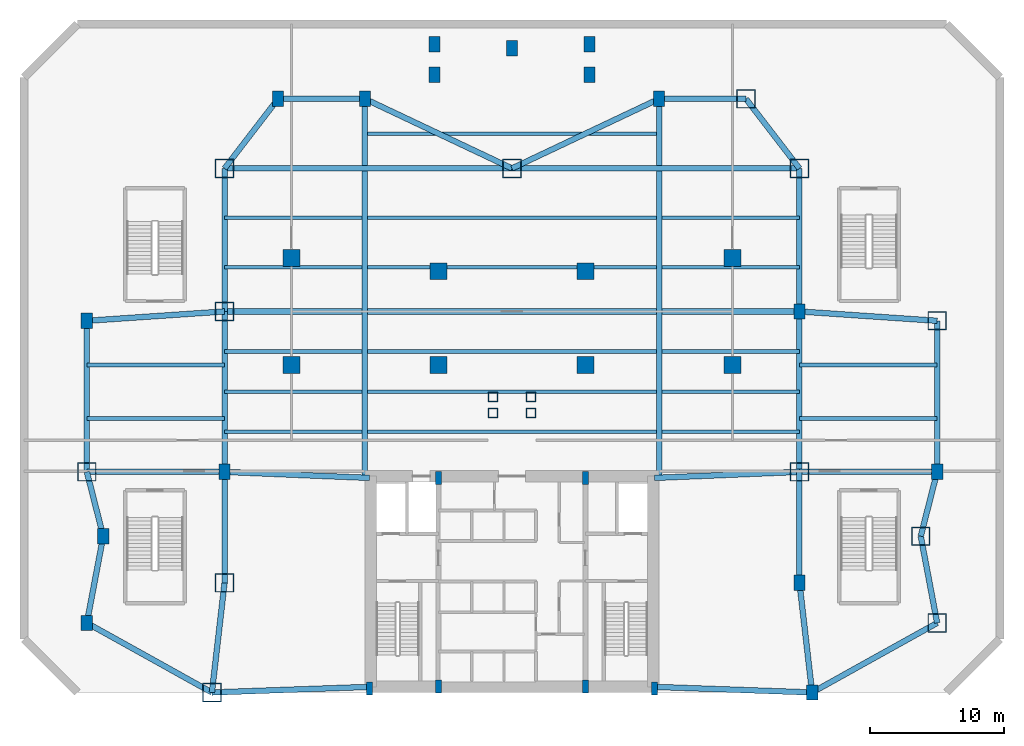
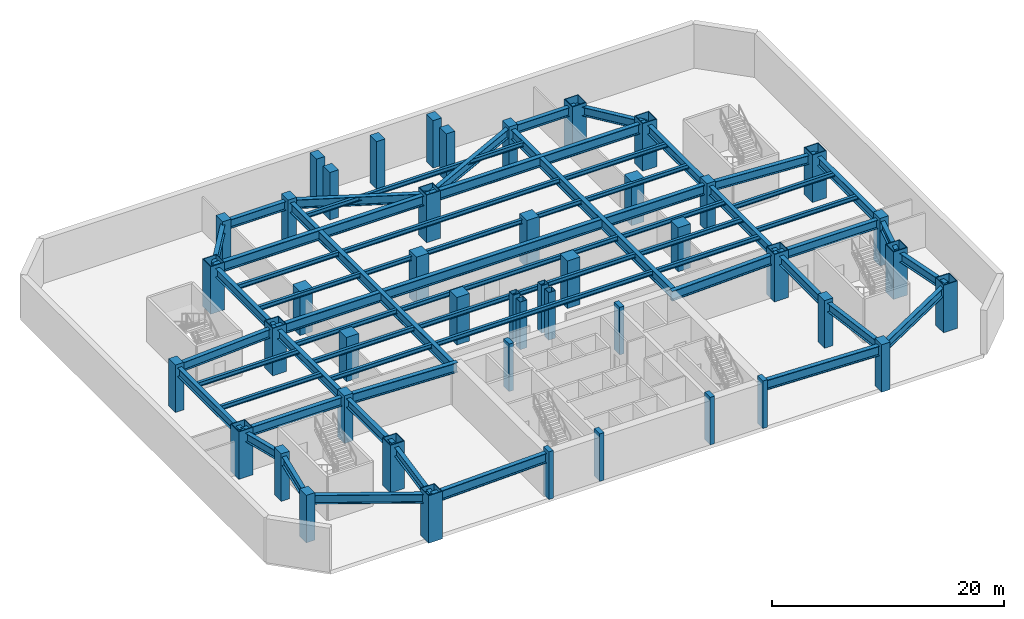
# One storey, part 1 of 6: 55 beams, 46 columns.
"""IFC4 building model written with IfcOpenShell, lengths in metres."""

from ifc_helpers import new_model, si_unit, direction, frame, origin, origin_2d, place, context, subcontext, project, spatial, rectangle, hollow_rectangle, i_section, extrude, source, transform, mapped, material, material_profile, profile_set, type_object, type_shapes, element, save


model = new_model("IFC4")

# Units and contexts
model_context = context("Model", 3, precision=1e-05, world=origin(), true_north=direction((0.0, 1.0)))
body_context = subcontext(model_context, "Body", "Model", "MODEL_VIEW")
ifc_project = project(units=[si_unit("LENGTHUNIT", "METRE"), si_unit("AREAUNIT", "SQUARE_METRE"), si_unit("VOLUMEUNIT", "CUBIC_METRE"), si_unit("PLANEANGLEUNIT", "RADIAN"), si_unit("MASSUNIT", "GRAM", prefix="KILO")], contexts=[model_context])

# Site, building, storey
site_placement = place(None, origin())
site = spatial("IfcSite", under=ifc_project, at=site_placement, CompositionType="ELEMENT")
building_placement = place(site_placement, origin())
building = spatial("IfcBuilding", under=site, at=building_placement, Name="Varnakhor Terracotta Tower", CompositionType="ELEMENT")
storey_placement = place(building_placement, frame((0.0, 0.0, -5.0)))
storey = spatial("IfcBuildingStorey", under=building, at=storey_placement, Name="B01", CompositionType="ELEMENT", Elevation=-5.0)

# Columns
ifc_material_1 = material(Name="Concrete C50/60", Category="concrete")
ifc_material_profile_1 = material_profile(ifc_material_1, rectangle(XDim=0.449951171875, YDim=0.949951171875, at=origin_2d()), Name="RC PILASTER 950x450")
ifc_profile_set_1 = profile_set([ifc_material_profile_1], Name="Concrete C50/60")
column_type_1 = type_object("IfcColumnType", Name="COL-PIL-950x450", PredefinedType="PILASTER", material=ifc_profile_set_1)
shared_shape_1 = source(origin(), body_context, "Body", "SweptSolid", [
    extrude(rectangle(XDim=0.449951171875, YDim=0.949951171875, at=origin_2d()), origin(), (0.0, 0.0, 1.0), 5.0),
])
type_shapes(column_type_1, [shared_shape_1])
for number, where, z_axis, x_axis, name in (
    (1, (-10.64990234375, 0.300048828125, 0.0), (0.0, 0.0, 1.0), (1.0, 0.0, 0.0), "B01 Core Pilaster CP1"),
    (2, (-5.5, 0.449951171875, 0.0), (0.0, 0.0, 1.0), (1.0, 0.0, 0.0), "B01 Core Pilaster CP2"),
    (3, (5.5, 0.449951171875, 0.0), (0.0, 0.0, 1.0), (1.0, 0.0, 0.0), "B01 Core Pilaster CP3"),
    (4, (10.64990234375, 0.300048828125, 0.0), (0.0, 0.0, 1.0), (1.0, 0.0, 0.0), "B01 Core Pilaster CP4"),
    (5, (-5.5, 16.050048828125, 0.0), (0.0, 0.0, 1.0), (1.0, 0.0, 0.0), "B01 Core Pilaster CP5"),
    (6, (5.5, 16.050048828125, 0.0), (0.0, 0.0, 1.0), (1.0, 0.0, 0.0), "B01 Core Pilaster CP6"),
):
    element("IfcColumn", number, at=place(storey_placement, frame(where, z_axis=z_axis, x_axis=x_axis)), inside=storey, type_object=column_type_1, Name=name, PredefinedType="PILASTER", context=body_context, shape_type="MappedRepresentation", body=[
        mapped(shared_shape_1, transform((0.0, 0.0, 0.0), scale=1.0)),
    ])
ifc_material_2 = material(Name="Concrete C60/75", Category="concrete")
ifc_material_profile_2 = material_profile(ifc_material_2, rectangle(XDim=0.85009765625, YDim=1.14990234375, at=origin_2d()), Name="RC 1150x850")
ifc_profile_set_2 = profile_set([ifc_material_profile_2], Name="Concrete C60/75")
column_type_2 = type_object("IfcColumnType", Name="COL-RC-1150x850", PredefinedType="COLUMN", material=ifc_profile_set_2)
shared_shape_2 = source(origin(), body_context, "Body", "SweptSolid", [
    extrude(rectangle(XDim=0.85009765625, YDim=1.14990234375, at=origin_2d()), origin(), (0.0, 0.0, 1.0), 5.0),
])
type_shapes(column_type_2, [shared_shape_2])
for number, where, z_axis, x_axis, name in (
    (7, (-5.800048828125, 46.199951171875, 0.0), (0.0, 0.0, 1.0), (1.0, 0.0, 0.0), "B01 North Terrace Support Column 1"),
    (8, (5.800048828125, 46.199951171875, 0.0), (0.0, 0.0, 1.0), (1.0, 0.0, 0.0), "B01 North Terrace Support Column 2"),
    (9, (0.0, 48.199951171875, 0.0), (0.0, 0.0, 1.0), (1.0, 0.0, 0.0), "B01 North Terrace Support Column 3"),
    (10, (-5.800048828125, 48.5, 0.0), (0.0, 0.0, 1.0), (1.0, 0.0, 0.0), "B01 North Terrace Support Column 4"),
    (11, (5.800048828125, 48.5, 0.0), (0.0, 0.0, 1.0), (1.0, 0.0, 0.0), "B01 North Terrace Support Column 5"),
    (12, (22.446044921875, 0.0, 0.0), (0.0, 0.0, 1.0), (1.0, 0.0, 0.0), "B01 Podium Column PC02"),
    (13, (21.5, 8.199951171875, 0.0), (0.0, 0.0, 1.0), (1.0, 0.0, 0.0), "B01 Podium Column PC04"),
    (14, (31.800048828125, 16.5, 0.0), (0.0, 0.0, 1.0), (1.0, 0.0, 0.0), "B01 Podium Column PC06"),
    (15, (21.5, 28.5, 0.0), (0.0, 0.0, 1.0), (1.0, 0.0, 0.0), "B01 Podium Column PC08"),
    (16, (-11.0, 44.39990234375, 0.0), (0.0, 0.0, 1.0), (1.0, 0.0, 0.0), "B01 Podium Column PC10"),
    (17, (11.0, 44.39990234375, 0.0), (0.0, 0.0, 1.0), (1.0, 0.0, 0.0), "B01 Podium Column PC12"),
    (18, (-21.5, 16.5, 0.0), (0.0, 0.0, 1.0), (1.0, 0.0, 0.0), "B01 Podium Column PC14"),
    (19, (-31.800048828125, 5.199951171875, 0.0), (0.0, 0.0, 1.0), (1.0, 0.0, 0.0), "B01 Podium Column PC16"),
    (20, (-31.800048828125, 27.800048828125, 0.0), (0.0, 0.0, 1.0), (1.0, 0.0, 0.0), "B01 Podium Column PC18"),
    (21, (-17.5, 44.39990234375, 0.0), (0.0, 0.0, 1.0), (1.0, 0.0, 0.0), "B01 Podium Column PC20"),
    (22, (-30.572998046875, 11.68701171875, 0.0), (0.0, 0.0, 1.0), (1.0, 0.0, 0.0), "B01 Podium Column PC22"),
):
    element("IfcColumn", number, at=place(storey_placement, frame(where, z_axis=z_axis, x_axis=x_axis)), inside=storey, type_object=column_type_2, Name=name, PredefinedType="COLUMN", context=body_context, shape_type="MappedRepresentation", body=[
        mapped(shared_shape_2, transform((0.0, 0.0, 0.0), scale=1.0)),
    ])
ifc_material_3 = material(Name="Steel S355", Category="steel")
ifc_material_profile_3 = material_profile(ifc_material_3, hollow_rectangle(XDim=0.699951171875, YDim=0.699951171875, WallThickness=0.035888671875, at=origin_2d()), Name="BOX 700x700x36")
ifc_profile_set_3 = profile_set([ifc_material_profile_3], Name="Steel S355")
column_type_3 = type_object("IfcColumnType", Name="COL-MEGA-700", PredefinedType="COLUMN", material=ifc_profile_set_3)
shared_shape_3 = source(origin(), body_context, "Body", "SweptSolid", [
    extrude(hollow_rectangle(XDim=0.699951171875, YDim=0.699951171875, WallThickness=0.035888671875, at=origin_2d()), origin(), (0.0, 0.0, 1.0), 5.0),
])
type_shapes(column_type_3, [shared_shape_3])
for number, where, z_axis, x_axis, name in (
    (23, (-1.419921875, 20.89990234375, 0.0), (0.0, 0.0, 1.0), (1.0, 0.0, 0.0), "B01 Feature Stair Support Column 1"),
    (24, (1.419921875, 20.89990234375, 0.0), (0.0, 0.0, 1.0), (1.0, 0.0, 0.0), "B01 Feature Stair Support Column 2"),
    (25, (-1.419921875, 22.10009765625, 0.0), (0.0, 0.0, 1.0), (1.0, 0.0, 0.0), "B01 Feature Stair Support Column 3"),
    (26, (1.419921875, 22.10009765625, 0.0), (0.0, 0.0, 1.0), (1.0, 0.0, 0.0), "B01 Feature Stair Support Column 4"),
):
    element("IfcColumn", number, at=place(storey_placement, frame(where, z_axis=z_axis, x_axis=x_axis)), inside=storey, type_object=column_type_3, Name=name, PredefinedType="COLUMN", context=body_context, shape_type="MappedRepresentation", body=[
        mapped(shared_shape_3, transform((0.0, 0.0, 0.0), scale=1.0)),
    ])
ifc_material_4 = material(Name="Steel S460", Category="steel")
ifc_material_profile_4 = material_profile(ifc_material_4, hollow_rectangle(XDim=1.39990234375, YDim=1.39990234375, WallThickness=0.070068359375, at=origin_2d()), Name="BOX 1400x1400x70")
ifc_profile_set_4 = profile_set([ifc_material_profile_4], Name="Steel S460")
column_type_4 = type_object("IfcColumnType", Name="COL-MEGA-1400", PredefinedType="COLUMN", material=ifc_profile_set_4)
shared_shape_4 = source(origin(), body_context, "Body", "SweptSolid", [
    extrude(hollow_rectangle(XDim=1.39990234375, YDim=1.39990234375, WallThickness=0.070068359375, at=origin_2d()), origin(), (0.0, 0.0, 1.0), 5.0),
])
type_shapes(column_type_4, [shared_shape_4])
for number, where, z_axis, x_axis, name in (
    (27, (-22.446044921875, 0.0, 0.0), (0.0, 0.0, 1.0), (1.0, 0.0, 0.0), "B01 Podium Column PC01"),
    (28, (-21.5, 8.199951171875, 0.0), (0.0, 0.0, 1.0), (1.0, 0.0, 0.0), "B01 Podium Column PC03"),
    (29, (-31.800048828125, 16.5, 0.0), (0.0, 0.0, 1.0), (1.0, 0.0, 0.0), "B01 Podium Column PC05"),
    (30, (-21.5, 28.5, 0.0), (0.0, 0.0, 1.0), (1.0, 0.0, 0.0), "B01 Podium Column PC07"),
    (31, (-21.5, 39.199951171875, 0.0), (0.0, 0.0, 1.0), (1.0, 0.0, 0.0), "B01 Podium Column PC09"),
    (32, (0.0, 39.199951171875, 0.0), (0.0, 0.0, 1.0), (1.0, 0.0, 0.0), "B01 Podium Column PC11"),
    (33, (21.5, 39.199951171875, 0.0), (0.0, 0.0, 1.0), (1.0, 0.0, 0.0), "B01 Podium Column PC13"),
    (34, (21.5, 16.5, 0.0), (0.0, 0.0, 1.0), (1.0, 0.0, 0.0), "B01 Podium Column PC15"),
    (35, (31.800048828125, 5.199951171875, 0.0), (0.0, 0.0, 1.0), (1.0, 0.0, 0.0), "B01 Podium Column PC17"),
    (36, (31.800048828125, 27.800048828125, 0.0), (0.0, 0.0, 1.0), (1.0, 0.0, 0.0), "B01 Podium Column PC19"),
    (37, (17.5, 44.39990234375, 0.0), (0.0, 0.0, 1.0), (1.0, 0.0, 0.0), "B01 Podium Column PC21"),
    (38, (30.572998046875, 11.68701171875, 0.0), (0.0, 0.0, 1.0), (1.0, 0.0, 0.0), "B01 Podium Column PC23"),
):
    element("IfcColumn", number, at=place(storey_placement, frame(where, z_axis=z_axis, x_axis=x_axis)), inside=storey, type_object=column_type_4, Name=name, PredefinedType="COLUMN", context=body_context, shape_type="MappedRepresentation", body=[
        mapped(shared_shape_4, transform((0.0, 0.0, 0.0), scale=1.0)),
    ])
ifc_material_profile_5 = material_profile(ifc_material_2, rectangle(XDim=1.25, YDim=1.25, at=origin_2d()), Name="RC 1250x1250")
ifc_profile_set_5 = profile_set([ifc_material_profile_5], Name="Concrete C60/75")
column_type_5 = type_object("IfcColumnType", Name="COL-RC-1250", PredefinedType="COLUMN", material=ifc_profile_set_5)
shared_shape_5 = source(origin(), body_context, "Body", "SweptSolid", [
    extrude(rectangle(XDim=1.25, YDim=1.25, at=origin_2d()), origin(), (0.0, 0.0, 1.0), 5.0),
])
type_shapes(column_type_5, [shared_shape_5])
for number, where, z_axis, x_axis, name in (
    (39, (-5.5, 24.5, 0.0), (0.0, 0.0, 1.0), (1.0, 0.0, 0.0), "B01 Basement Column BC01"),
    (40, (5.5, 24.5, 0.0), (0.0, 0.0, 1.0), (1.0, 0.0, 0.0), "B01 Basement Column BC02"),
    (41, (-5.5, 31.5, 0.0), (0.0, 0.0, 1.0), (1.0, 0.0, 0.0), "B01 Basement Column BC03"),
    (42, (5.5, 31.5, 0.0), (0.0, 0.0, 1.0), (1.0, 0.0, 0.0), "B01 Basement Column BC04"),
):
    element("IfcColumn", number, at=place(storey_placement, frame(where, z_axis=z_axis, x_axis=x_axis)), inside=storey, type_object=column_type_5, Name=name, PredefinedType="COLUMN", context=body_context, shape_type="MappedRepresentation", body=[
        mapped(shared_shape_5, transform((0.0, 0.0, 0.0), scale=1.0)),
    ])
shared_shape_6 = source(origin(), body_context, "Body", "SweptSolid", [
    extrude(rectangle(XDim=1.25, YDim=1.25, at=origin_2d()), origin(), (0.0, 0.0, 1.0), 4.639892578125),
])
for number, where, z_axis, x_axis, name in (
    (43, (-16.5, 24.5, 0.0), (0.0, 0.0, 1.0), (1.0, 0.0, 0.0), "B01 Basement Column BC05"),
    (44, (16.5, 24.5, 0.0), (0.0, 0.0, 1.0), (1.0, 0.0, 0.0), "B01 Basement Column BC06"),
    (45, (-16.5, 32.5, 0.0), (0.0, 0.0, 1.0), (1.0, 0.0, 0.0), "B01 Basement Column BC07"),
    (46, (16.5, 32.5, 0.0), (0.0, 0.0, 1.0), (1.0, 0.0, 0.0), "B01 Basement Column BC08"),
):
    element("IfcColumn", number, at=place(storey_placement, frame(where, z_axis=z_axis, x_axis=x_axis)), inside=storey, type_object=column_type_5, Name=name, PredefinedType="COLUMN", context=body_context, shape_type="MappedRepresentation", body=[
        mapped(shared_shape_6, transform((0.0, 0.0, 0.0), scale=1.0)),
    ])

# Beams
ifc_material_profile_6 = material_profile(ifc_material_3, i_section(OverallWidth=0.41796875, OverallDepth=0.927001953125, WebThickness=0.01904296875, FlangeThickness=0.031982421875, FilletRadius=0.01806640625, at=origin_2d()), Name="W36X231")
ifc_profile_set_6 = profile_set([ifc_material_profile_6], Name="Steel S355")
beam_type_1 = type_object("IfcBeamType", Name="BM-W36X231", PredefinedType="BEAM", material=ifc_profile_set_6)
shared_shape_7 = source(origin(), body_context, "Body", "SweptSolid", [
    extrude(i_section(OverallWidth=0.41796875, OverallDepth=0.927001953125, WebThickness=0.01904296875, FlangeThickness=0.031982421875, FilletRadius=0.01806640625, at=origin_2d()), origin(), (0.0, 0.0, 1.0), 8.25439453125),
])
type_shapes(beam_type_1, [shared_shape_7])
for number, where, z_axis, x_axis, name in (
    (47, (-22.446044921875, 0.0, 4.176513671875), (0.114611758944, 0.993410360683, 0.0), (-0.993410360683, 0.114611758944, 0.0), "B01 Podium Ring Girder 1"),
    (48, (21.5, 8.199951171875, 4.176513671875), (0.114611758944, -0.993410360683, 0.0), (0.993410360683, 0.114611758944, 0.0), "B01 Podium Ring Girder 14"),
):
    element("IfcBeam", number, at=place(storey_placement, frame(where, z_axis=z_axis, x_axis=x_axis)), inside=storey, type_object=beam_type_1, Name=name, PredefinedType="BEAM", context=body_context, shape_type="MappedRepresentation", body=[
        mapped(shared_shape_7, transform((0.0, 0.0, 0.0), scale=1.0)),
    ])
shared_shape_8 = source(origin(), body_context, "Body", "SweptSolid", [
    extrude(i_section(OverallWidth=0.41796875, OverallDepth=0.927001953125, WebThickness=0.01904296875, FlangeThickness=0.031982421875, FilletRadius=0.01806640625, at=origin_2d()), origin(), (0.0, 0.0, 1.0), 8.300048828125),
])
for number, where, z_axis, x_axis, name in (
    (49, (-21.5, 8.199951171875, 4.176513671875), (0.0, 1.0, 0.0), (-1.0, 0.0, 0.0), "B01 Podium Ring Girder 2"),
    (50, (21.5, 16.5, 4.176513671875), (0.0, -1.0, 0.0), (1.0, 0.0, 0.0), "B01 Podium Ring Girder 13"),
):
    element("IfcBeam", number, at=place(storey_placement, frame(where, z_axis=z_axis, x_axis=x_axis)), inside=storey, type_object=beam_type_1, Name=name, PredefinedType="BEAM", context=body_context, shape_type="MappedRepresentation", body=[
        mapped(shared_shape_8, transform((0.0, 0.0, 0.0), scale=1.0)),
    ])
shared_shape_9 = source(origin(), body_context, "Body", "SweptSolid", [
    extrude(i_section(OverallWidth=0.41796875, OverallDepth=0.927001953125, WebThickness=0.01904296875, FlangeThickness=0.031982421875, FilletRadius=0.01806640625, at=origin_2d()), origin(), (0.0, 0.0, 1.0), 12.0),
])
for number, where, z_axis, x_axis, name in (
    (51, (-21.5, 16.5, 4.176513671875), (0.0, 1.0, 0.0), (-1.0, 0.0, 0.0), "B01 Podium Ring Girder 3"),
    (52, (21.5, 28.5, 4.176513671875), (0.0, -1.0, 0.0), (1.0, 0.0, 0.0), "B01 Podium Ring Girder 12"),
):
    element("IfcBeam", number, at=place(storey_placement, frame(where, z_axis=z_axis, x_axis=x_axis)), inside=storey, type_object=beam_type_1, Name=name, PredefinedType="BEAM", context=body_context, shape_type="MappedRepresentation", body=[
        mapped(shared_shape_9, transform((0.0, 0.0, 0.0), scale=1.0)),
    ])
shared_shape_10 = source(origin(), body_context, "Body", "SweptSolid", [
    extrude(i_section(OverallWidth=0.41796875, OverallDepth=0.927001953125, WebThickness=0.01904296875, FlangeThickness=0.031982421875, FilletRadius=0.01806640625, at=origin_2d()), origin(), (0.0, 0.0, 1.0), 10.699951171875),
])
for number, where, z_axis, x_axis, name in (
    (53, (-21.5, 28.5, 4.176513671875), (0.0, 1.0, 0.0), (-1.0, 0.0, 0.0), "B01 Podium Ring Girder 4"),
    (54, (21.5, 39.199951171875, 4.176513671875), (0.0, -1.0, 0.0), (1.0, 0.0, 0.0), "B01 Podium Ring Girder 11"),
):
    element("IfcBeam", number, at=place(storey_placement, frame(where, z_axis=z_axis, x_axis=x_axis)), inside=storey, type_object=beam_type_1, Name=name, PredefinedType="BEAM", context=body_context, shape_type="MappedRepresentation", body=[
        mapped(shared_shape_10, transform((0.0, 0.0, 0.0), scale=1.0)),
    ])
shared_shape_11 = source(origin(), body_context, "Body", "SweptSolid", [
    extrude(i_section(OverallWidth=0.41796875, OverallDepth=0.927001953125, WebThickness=0.01904296875, FlangeThickness=0.031982421875, FilletRadius=0.01806640625, at=origin_2d()), origin(), (0.0, 0.0, 1.0), 6.560546875),
])
for number, where, z_axis, x_axis, name in (
    (55, (-21.5, 39.199951171875, 4.176513671875), (0.609714357737, 0.792621222255, 0.0), (-0.792621222255, 0.609714357737, 0.0), "B01 Podium Ring Girder 5"),
    (56, (17.5, 44.39990234375, 4.176513671875), (0.609714357737, -0.792621222255, 0.0), (0.792621222255, 0.609714357737, 0.0), "B01 Podium Ring Girder 10"),
):
    element("IfcBeam", number, at=place(storey_placement, frame(where, z_axis=z_axis, x_axis=x_axis)), inside=storey, type_object=beam_type_1, Name=name, PredefinedType="BEAM", context=body_context, shape_type="MappedRepresentation", body=[
        mapped(shared_shape_11, transform((0.0, 0.0, 0.0), scale=1.0)),
    ])
shared_shape_12 = source(origin(), body_context, "Body", "SweptSolid", [
    extrude(i_section(OverallWidth=0.41796875, OverallDepth=0.927001953125, WebThickness=0.01904296875, FlangeThickness=0.031982421875, FilletRadius=0.01806640625, at=origin_2d()), origin(), (0.0, 0.0, 1.0), 6.5),
])
for number, where, z_axis, x_axis, name in (
    (57, (-17.5, 44.39990234375, 4.176513671875), (1.0, 0.0, 0.0), (0.0, 1.0, 0.0), "B01 Podium Ring Girder 6"),
    (58, (11.0, 44.39990234375, 4.176513671875), (1.0, 0.0, 0.0), (0.0, 1.0, 0.0), "B01 Podium Ring Girder 9"),
):
    element("IfcBeam", number, at=place(storey_placement, frame(where, z_axis=z_axis, x_axis=x_axis)), inside=storey, type_object=beam_type_1, Name=name, PredefinedType="BEAM", context=body_context, shape_type="MappedRepresentation", body=[
        mapped(shared_shape_12, transform((0.0, 0.0, 0.0), scale=1.0)),
    ])
shared_shape_13 = source(origin(), body_context, "Body", "SweptSolid", [
    extrude(i_section(OverallWidth=0.41796875, OverallDepth=0.927001953125, WebThickness=0.01904296875, FlangeThickness=0.031982421875, FilletRadius=0.01806640625, at=origin_2d()), origin(), (0.0, 0.0, 1.0), 12.167236328125),
])
for number, where, z_axis, x_axis, name in (
    (59, (-11.0, 44.39990234375, 4.176513671875), (0.904073817094, -0.427376336787, 0.0), (0.427376336787, 0.904073817094, 0.0), "B01 Podium Ring Girder 7"),
    (60, (0.0, 39.199951171875, 4.176513671875), (0.904073817094, 0.427376336787, 0.0), (-0.427376336787, 0.904073817094, 0.0), "B01 Podium Ring Girder 8"),
):
    element("IfcBeam", number, at=place(storey_placement, frame(where, z_axis=z_axis, x_axis=x_axis)), inside=storey, type_object=beam_type_1, Name=name, PredefinedType="BEAM", context=body_context, shape_type="MappedRepresentation", body=[
        mapped(shared_shape_13, transform((0.0, 0.0, 0.0), scale=1.0)),
    ])
shared_shape_14 = source(origin(), body_context, "Body", "SweptSolid", [
    extrude(i_section(OverallWidth=0.41796875, OverallDepth=0.927001953125, WebThickness=0.01904296875, FlangeThickness=0.031982421875, FilletRadius=0.01806640625, at=origin_2d()), origin(), (0.0, 0.0, 1.0), 10.7021484375),
])
for number, where, z_axis, x_axis, name in (
    (61, (-22.446044921875, 0.0, 4.176513671875), (-0.874027042936, 0.485877276909, 0.0), (-0.485877276909, -0.874027042936, 0.0), "B01 Podium Wing Girder OW1"),
    (62, (22.446044921875, 0.0, 4.176513671875), (0.874027042936, 0.485877276909, 0.0), (-0.485877276909, 0.874027042936, 0.0), "B01 Podium Wing Girder OE1"),
):
    element("IfcBeam", number, at=place(storey_placement, frame(where, z_axis=z_axis, x_axis=x_axis)), inside=storey, type_object=beam_type_1, Name=name, PredefinedType="BEAM", context=body_context, shape_type="MappedRepresentation", body=[
        mapped(shared_shape_14, transform((0.0, 0.0, 0.0), scale=1.0)),
    ])
shared_shape_15 = source(origin(), body_context, "Body", "SweptSolid", [
    extrude(i_section(OverallWidth=0.41796875, OverallDepth=0.927001953125, WebThickness=0.01904296875, FlangeThickness=0.031982421875, FilletRadius=0.01806640625, at=origin_2d()), origin(), (0.0, 0.0, 1.0), 6.60205078125),
])
for number, where, z_axis, x_axis, name in (
    (63, (-31.800048828125, 5.199951171875, 4.176513671875), (0.185857896361, 0.982576634345, 0.0), (-0.982576634345, 0.185857896361, 0.0), "B01 Podium Wing Girder OW2A"),
    (64, (31.800048828125, 5.199951171875, 4.176513671875), (-0.185857896361, 0.982576634345, 0.0), (-0.982576634345, -0.185857896361, 0.0), "B01 Podium Wing Girder OE2A"),
):
    element("IfcBeam", number, at=place(storey_placement, frame(where, z_axis=z_axis, x_axis=x_axis)), inside=storey, type_object=beam_type_1, Name=name, PredefinedType="BEAM", context=body_context, shape_type="MappedRepresentation", body=[
        mapped(shared_shape_15, transform((0.0, 0.0, 0.0), scale=1.0)),
    ])
shared_shape_16 = source(origin(), body_context, "Body", "SweptSolid", [
    extrude(i_section(OverallWidth=0.41796875, OverallDepth=0.927001953125, WebThickness=0.01904296875, FlangeThickness=0.031982421875, FilletRadius=0.01806640625, at=origin_2d()), origin(), (0.0, 0.0, 1.0), 4.967041015625),
])
for number, where, z_axis, x_axis, name in (
    (65, (-30.572998046875, 11.68701171875, 4.176513671875), (-0.247043524216, 0.969004384481, 0.0), (-0.969004384481, -0.247043524216, 0.0), "B01 Podium Wing Girder OW2B"),
    (66, (30.572998046875, 11.68701171875, 4.176513671875), (0.247043524216, 0.969004384481, 0.0), (-0.969004384481, 0.247043524216, 0.0), "B01 Podium Wing Girder OE2B"),
):
    element("IfcBeam", number, at=place(storey_placement, frame(where, z_axis=z_axis, x_axis=x_axis)), inside=storey, type_object=beam_type_1, Name=name, PredefinedType="BEAM", context=body_context, shape_type="MappedRepresentation", body=[
        mapped(shared_shape_16, transform((0.0, 0.0, 0.0), scale=1.0)),
    ])
shared_shape_17 = source(origin(), body_context, "Body", "SweptSolid", [
    extrude(i_section(OverallWidth=0.41796875, OverallDepth=0.927001953125, WebThickness=0.01904296875, FlangeThickness=0.031982421875, FilletRadius=0.01806640625, at=origin_2d()), origin(), (0.0, 0.0, 1.0), 11.300048828125),
])
for number, where, z_axis, x_axis, name in (
    (67, (-31.800048828125, 16.5, 4.176513671875), (0.0, 1.0, 0.0), (-1.0, 0.0, 0.0), "B01 Podium Wing Girder OW3"),
    (68, (31.800048828125, 16.5, 4.176513671875), (0.0, 1.0, 0.0), (-1.0, 0.0, 0.0), "B01 Podium Wing Girder OE3"),
):
    element("IfcBeam", number, at=place(storey_placement, frame(where, z_axis=z_axis, x_axis=x_axis)), inside=storey, type_object=beam_type_1, Name=name, PredefinedType="BEAM", context=body_context, shape_type="MappedRepresentation", body=[
        mapped(shared_shape_17, transform((0.0, 0.0, 0.0), scale=1.0)),
    ])
shared_shape_18 = source(origin(), body_context, "Body", "SweptSolid", [
    extrude(i_section(OverallWidth=0.41796875, OverallDepth=0.927001953125, WebThickness=0.01904296875, FlangeThickness=0.031982421875, FilletRadius=0.01806640625, at=origin_2d()), origin(), (0.0, 0.0, 1.0), 10.300048828125),
])
for number, where, z_axis, x_axis, name in (
    (69, (-21.5, 16.5, 4.176513671875), (-1.0, 0.0, 0.0), (0.0, -1.0, 0.0), "B01 Podium Wing Girder OW4"),
    (70, (21.5, 16.5, 4.176513671875), (1.0, 0.0, 0.0), (0.0, 1.0, 0.0), "B01 Podium Wing Girder OE4"),
):
    element("IfcBeam", number, at=place(storey_placement, frame(where, z_axis=z_axis, x_axis=x_axis)), inside=storey, type_object=beam_type_1, Name=name, PredefinedType="BEAM", context=body_context, shape_type="MappedRepresentation", body=[
        mapped(shared_shape_18, transform((0.0, 0.0, 0.0), scale=1.0)),
    ])
shared_shape_19 = source(origin(), body_context, "Body", "SweptSolid", [
    extrude(i_section(OverallWidth=0.41796875, OverallDepth=0.927001953125, WebThickness=0.01904296875, FlangeThickness=0.031982421875, FilletRadius=0.01806640625, at=origin_2d()), origin(), (0.0, 0.0, 1.0), 10.32373046875),
])
for number, where, z_axis, x_axis, name in (
    (71, (-21.5, 28.5, 4.176513671875), (-0.997698950759, -0.067799731964, 0.0), (0.067799731964, -0.997698950759, 0.0), "B01 Podium Wing Girder OW5"),
    (72, (21.5, 28.5, 4.176513671875), (0.997698950759, -0.067799731964, 0.0), (0.067799731964, 0.997698950759, 0.0), "B01 Podium Wing Girder OE5"),
):
    element("IfcBeam", number, at=place(storey_placement, frame(where, z_axis=z_axis, x_axis=x_axis)), inside=storey, type_object=beam_type_1, Name=name, PredefinedType="BEAM", context=body_context, shape_type="MappedRepresentation", body=[
        mapped(shared_shape_19, transform((0.0, 0.0, 0.0), scale=1.0)),
    ])
ifc_material_profile_7 = material_profile(ifc_material_4, i_section(OverallWidth=0.419921875, OverallDepth=1.0400390625, WebThickness=0.031005859375, FlangeThickness=0.055908203125, FilletRadius=0.01806640625, at=origin_2d()), Name="W40X397")
ifc_profile_set_7 = profile_set([ifc_material_profile_7], Name="Steel S460")
beam_type_2 = type_object("IfcBeamType", Name="BM-W40X397", PredefinedType="BEAM", material=ifc_profile_set_7)
shared_shape_20 = source(origin(), body_context, "Body", "SweptSolid", [
    extrude(i_section(OverallWidth=0.419921875, OverallDepth=1.0400390625, WebThickness=0.031005859375, FlangeThickness=0.055908203125, FilletRadius=0.01806640625, at=origin_2d()), origin(), (0.0, 0.0, 1.0), 11.8037109375),
])
type_shapes(beam_type_2, [shared_shape_20])
for number, where, z_axis, x_axis, name in (
    (73, (-22.446044921875, 0.0, 4.1201171875), (0.999366984345, 0.035575702404, 0.0), (-0.035575702404, 0.999366984345, 0.0), "B01 Podium Primary Girder GW1"),
    (74, (10.64990234375, 0.419921875, 4.1201171875), (0.999366984345, -0.035575702404, 0.0), (0.035575702404, 0.999366984345, 0.0), "B01 Podium Primary Girder GE1"),
):
    element("IfcBeam", number, at=place(storey_placement, frame(where, z_axis=z_axis, x_axis=x_axis)), inside=storey, type_object=beam_type_2, Name=name, PredefinedType="BEAM", context=body_context, shape_type="MappedRepresentation", body=[
        mapped(shared_shape_20, transform((0.0, 0.0, 0.0), scale=1.0)),
    ])
shared_shape_21 = source(origin(), body_context, "Body", "SweptSolid", [
    extrude(i_section(OverallWidth=0.419921875, OverallDepth=1.0400390625, WebThickness=0.031005859375, FlangeThickness=0.055908203125, FilletRadius=0.01806640625, at=origin_2d()), origin(), (0.0, 0.0, 1.0), 10.859375),
])
for number, where, z_axis, x_axis, name in (
    (75, (-21.5, 16.5, 4.1201171875), (0.99914123612, -0.041434168088, 0.0), (0.041434168088, 0.99914123612, 0.0), "B01 Podium Primary Girder GW2"),
    (76, (10.64990234375, 16.050048828125, 4.1201171875), (0.99914123612, 0.041434168088, 0.0), (-0.041434168088, 0.99914123612, 0.0), "B01 Podium Primary Girder GE2"),
):
    element("IfcBeam", number, at=place(storey_placement, frame(where, z_axis=z_axis, x_axis=x_axis)), inside=storey, type_object=beam_type_2, Name=name, PredefinedType="BEAM", context=body_context, shape_type="MappedRepresentation", body=[
        mapped(shared_shape_21, transform((0.0, 0.0, 0.0), scale=1.0)),
    ])
shared_shape_22 = source(origin(), body_context, "Body", "SweptSolid", [
    extrude(i_section(OverallWidth=0.419921875, OverallDepth=1.0400390625, WebThickness=0.031005859375, FlangeThickness=0.055908203125, FilletRadius=0.01806640625, at=origin_2d()), origin(), (0.0, 0.0, 1.0), 43.0),
])
beam_placement = place(storey_placement, frame((-21.5, 28.5, 4.1201171875), z_axis=(1.0, 0.0, 0.0), x_axis=(0.0, 1.0, 0.0)))
element("IfcBeam", 77, at=beam_placement, inside=storey, type_object=beam_type_2, Name="B01 Podium Primary Girder GN1", PredefinedType="BEAM", context=body_context, shape_type="MappedRepresentation", body=[
    mapped(shared_shape_22, transform((0.0, 0.0, 0.0), scale=1.0)),
])
shared_shape_23 = source(origin(), body_context, "Body", "SweptSolid", [
    extrude(i_section(OverallWidth=0.419921875, OverallDepth=1.0400390625, WebThickness=0.031005859375, FlangeThickness=0.055908203125, FilletRadius=0.01806640625, at=origin_2d()), origin(), (0.0, 0.0, 1.0), 21.5),
])
for number, where, z_axis, x_axis, name in (
    (78, (-21.5, 39.199951171875, 4.1201171875), (1.0, 0.0, 0.0), (0.0, 1.0, 0.0), "B01 Podium Primary Girder GN2"),
    (79, (0.0, 39.199951171875, 4.1201171875), (1.0, 0.0, 0.0), (0.0, 1.0, 0.0), "B01 Podium Primary Girder GN3"),
):
    element("IfcBeam", number, at=place(storey_placement, frame(where, z_axis=z_axis, x_axis=x_axis)), inside=storey, type_object=beam_type_2, Name=name, PredefinedType="BEAM", context=body_context, shape_type="MappedRepresentation", body=[
        mapped(shared_shape_23, transform((0.0, 0.0, 0.0), scale=1.0)),
    ])
shared_shape_24 = source(origin(), body_context, "Body", "SweptSolid", [
    extrude(i_section(OverallWidth=0.419921875, OverallDepth=1.0400390625, WebThickness=0.031005859375, FlangeThickness=0.055908203125, FilletRadius=0.01806640625, at=origin_2d()), origin(), (0.0, 0.0, 1.0), 28.349853515625),
])
for number, where, z_axis, x_axis, name in (
    (80, (-11.0, 16.050048828125, 4.1201171875), (0.0, 1.0, 0.0), (-1.0, 0.0, 0.0), "B01 Podium Primary Girder GNS-W"),
    (81, (11.0, 16.050048828125, 4.1201171875), (0.0, 1.0, 0.0), (-1.0, 0.0, 0.0), "B01 Podium Primary Girder GNS-E"),
):
    element("IfcBeam", number, at=place(storey_placement, frame(where, z_axis=z_axis, x_axis=x_axis)), inside=storey, type_object=beam_type_2, Name=name, PredefinedType="BEAM", context=body_context, shape_type="MappedRepresentation", body=[
        mapped(shared_shape_24, transform((0.0, 0.0, 0.0), scale=1.0)),
    ])
ifc_material_profile_8 = material_profile(ifc_material_3, i_section(OverallWidth=0.280029296875, OverallDepth=0.462890625, WebThickness=0.010986328125, FlangeThickness=0.01708984375, FilletRadius=0.01806640625, at=origin_2d()), Name="W18X76")
ifc_profile_set_8 = profile_set([ifc_material_profile_8], Name="Steel S355")
beam_type_3 = type_object("IfcBeamType", Name="JST-W18X76", PredefinedType="JOIST", material=ifc_profile_set_8)
shared_shape_25 = source(origin(), body_context, "Body", "SweptSolid", [
    extrude(i_section(OverallWidth=0.280029296875, OverallDepth=0.462890625, WebThickness=0.010986328125, FlangeThickness=0.01708984375, FilletRadius=0.01806640625, at=origin_2d()), origin(), (0.0, 0.0, 1.0), 10.2939453125),
])
type_shapes(beam_type_3, [shared_shape_25])
for number, where, z_axis, x_axis, name in (
    (82, (-21.5, 19.5, 4.408447265625), (1.0, 0.0, 0.0), (0.0, 1.0, 0.0), "B01 Podium Joist 1W"),
    (83, (11.2060546875, 19.5, 4.408447265625), (1.0, 0.0, 0.0), (0.0, 1.0, 0.0), "B01 Podium Joist 1E"),
    (84, (-21.5, 22.5, 4.408447265625), (1.0, 0.0, 0.0), (0.0, 1.0, 0.0), "B01 Podium Joist 2W"),
    (85, (11.2060546875, 22.5, 4.408447265625), (1.0, 0.0, 0.0), (0.0, 1.0, 0.0), "B01 Podium Joist 2E"),
    (86, (-21.5, 25.5, 4.408447265625), (1.0, 0.0, 0.0), (0.0, 1.0, 0.0), "B01 Podium Joist 3W"),
    (87, (11.2060546875, 25.5, 4.408447265625), (1.0, 0.0, 0.0), (0.0, 1.0, 0.0), "B01 Podium Joist 3E"),
    (88, (-21.5, 31.800048828125, 4.408447265625), (1.0, 0.0, 0.0), (0.0, 1.0, 0.0), "B01 Podium Joist 4W"),
    (89, (11.2060546875, 31.800048828125, 4.408447265625), (1.0, 0.0, 0.0), (0.0, 1.0, 0.0), "B01 Podium Joist 4E"),
    (90, (-21.5, 35.5, 4.408447265625), (1.0, 0.0, 0.0), (0.0, 1.0, 0.0), "B01 Podium Joist 5W"),
    (91, (11.2060546875, 35.5, 4.408447265625), (1.0, 0.0, 0.0), (0.0, 1.0, 0.0), "B01 Podium Joist 5E"),
):
    element("IfcBeam", number, at=place(storey_placement, frame(where, z_axis=z_axis, x_axis=x_axis)), inside=storey, type_object=beam_type_3, Name=name, PredefinedType="JOIST", context=body_context, shape_type="MappedRepresentation", body=[
        mapped(shared_shape_25, transform((0.0, 0.0, 0.0), scale=1.0)),
    ])
shared_shape_26 = source(origin(), body_context, "Body", "SweptSolid", [
    extrude(i_section(OverallWidth=0.280029296875, OverallDepth=0.462890625, WebThickness=0.010986328125, FlangeThickness=0.01708984375, FilletRadius=0.01806640625, at=origin_2d()), origin(), (0.0, 0.0, 1.0), 21.587890625),
])
for number, where, z_axis, x_axis, name in (
    (92, (-10.7939453125, 19.5, 4.408447265625), (1.0, 0.0, 0.0), (0.0, 1.0, 0.0), "B01 Podium Joist 1C"),
    (93, (-10.7939453125, 22.5, 4.408447265625), (1.0, 0.0, 0.0), (0.0, 1.0, 0.0), "B01 Podium Joist 2C"),
    (94, (-10.7939453125, 25.5, 4.408447265625), (1.0, 0.0, 0.0), (0.0, 1.0, 0.0), "B01 Podium Joist 3C"),
    (95, (-10.7939453125, 31.800048828125, 4.408447265625), (1.0, 0.0, 0.0), (0.0, 1.0, 0.0), "B01 Podium Joist 4C"),
    (96, (-10.7939453125, 35.5, 4.408447265625), (1.0, 0.0, 0.0), (0.0, 1.0, 0.0), "B01 Podium Joist 5C"),
    (97, (-10.7939453125, 41.800048828125, 4.408447265625), (1.0, 0.0, 0.0), (0.0, 1.0, 0.0), "B01 Podium Joist 6C"),
):
    element("IfcBeam", number, at=place(storey_placement, frame(where, z_axis=z_axis, x_axis=x_axis)), inside=storey, type_object=beam_type_3, Name=name, PredefinedType="JOIST", context=body_context, shape_type="MappedRepresentation", body=[
        mapped(shared_shape_26, transform((0.0, 0.0, 0.0), scale=1.0)),
    ])
shared_shape_27 = source(origin(), body_context, "Body", "SweptSolid", [
    extrude(i_section(OverallWidth=0.280029296875, OverallDepth=0.462890625, WebThickness=0.010986328125, FlangeThickness=0.01708984375, FilletRadius=0.01806640625, at=origin_2d()), origin(), (0.0, 0.0, 1.0), 10.300048828125),
])
for number, where, z_axis, x_axis, name in (
    (98, (-31.800048828125, 20.5, 4.408447265625), (1.0, 0.0, 0.0), (0.0, 1.0, 0.0), "B01 Wing Joist W3"),
    (99, (21.5, 20.5, 4.408447265625), (1.0, 0.0, 0.0), (0.0, 1.0, 0.0), "B01 Wing Joist E3"),
    (100, (-31.800048828125, 24.5, 4.408447265625), (1.0, 0.0, 0.0), (0.0, 1.0, 0.0), "B01 Wing Joist W4"),
    (101, (21.5, 24.5, 4.408447265625), (1.0, 0.0, 0.0), (0.0, 1.0, 0.0), "B01 Wing Joist E4"),
):
    element("IfcBeam", number, at=place(storey_placement, frame(where, z_axis=z_axis, x_axis=x_axis)), inside=storey, type_object=beam_type_3, Name=name, PredefinedType="JOIST", context=body_context, shape_type="MappedRepresentation", body=[
        mapped(shared_shape_27, transform((0.0, 0.0, 0.0), scale=1.0)),
    ])

save(model, "model.ifc")
